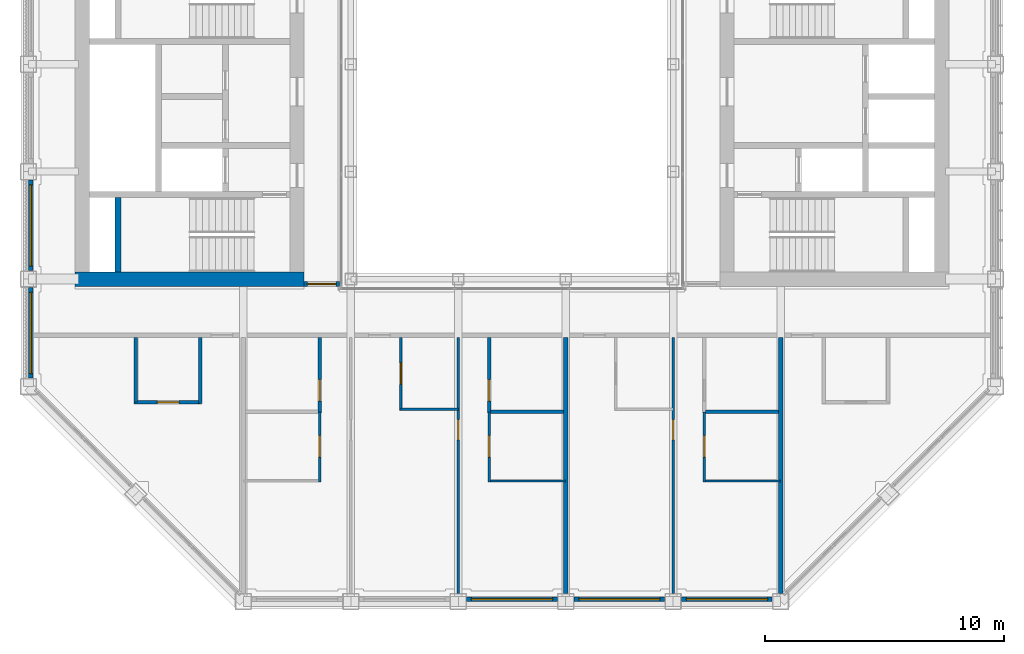
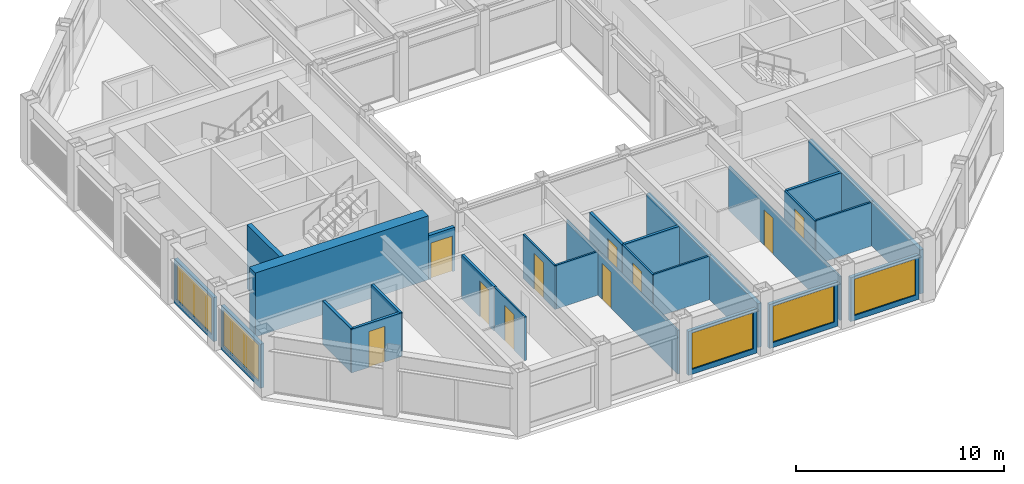
# One storey, part 9 of 17: 26 walls, 10 doors, 5 windows, 15 openings.
"""IFC4 building model written with IfcOpenShell, lengths in metres."""

from ifc_helpers import new_model, si_unit, direction, frame, frame_2d, origin, place, context, subcontext, project, spatial, rectangle, extrude, material, layer, layer_set, type_object, element, fill, save


model = new_model("IFC4")

# Units and contexts
model_context = context("Model", 3, precision=1e-05, world=origin(), true_north=direction((0.0, 1.0)))
body_context = subcontext(model_context, "Body", "Model", "MODEL_VIEW")
ifc_project = project(units=[si_unit("LENGTHUNIT", "METRE"), si_unit("AREAUNIT", "SQUARE_METRE"), si_unit("VOLUMEUNIT", "CUBIC_METRE"), si_unit("PLANEANGLEUNIT", "RADIAN"), si_unit("MASSUNIT", "GRAM", prefix="KILO")], contexts=[model_context])

# Site, building, storey
site_placement = place(None, origin())
site = spatial("IfcSite", under=ifc_project, at=site_placement, CompositionType="ELEMENT")
building_placement = place(site_placement, origin())
building = spatial("IfcBuilding", under=site, at=building_placement, Name="Msasa Ring Tower", CompositionType="ELEMENT")
storey_placement = place(building_placement, frame((0.0, 0.0, 253.300048828125)))
storey = spatial("IfcBuildingStorey", under=building, at=storey_placement, Name="L66", CompositionType="ELEMENT", Elevation=253.300048828125)

# Walls
ifc_material_1 = material(Name="Concrete C60/75", Category="concrete")
ifc_layer_1 = layer(ifc_material_1, 0.60009765625)
ifc_layer_set_1 = layer_set([ifc_layer_1], Name="CW3 CORE WALL 600")
wall_type_1 = type_object("IfcWallType", Name="CW3 CORE WALL 600", PredefinedType="SHEAR", material=ifc_layer_set_1)
wall_1_placement = place(storey_placement, frame((-8.699951171875, -6.75, 0.0), z_axis=(0.0, 0.0, 1.0), x_axis=(-1.0, 0.0, 0.0)))
element("IfcWall", 1, at=wall_1_placement, inside=storey, type_object=wall_type_1, Name="W core wall S L66", PredefinedType="SHEAR", context=body_context, shape_type="SweptSolid", body=[
    extrude(rectangle(XDim=9.60009765625, YDim=0.60009765625, at=frame_2d((4.800048828125, 0.0))), origin(), (0.0, 0.0, 1.0), 3.75),
])
ifc_material_2 = material(Name="Concrete C60/75", Category="concrete")
ifc_layer_2 = layer(ifc_material_2, 0.25)
ifc_layer_set_2 = layer_set([ifc_layer_2], Name="CW4 CORE INNER WALL 250")
wall_type_2 = type_object("IfcWallType", Name="CW4 CORE INNER WALL 250", PredefinedType="SHEAR", material=ifc_layer_set_2)
wall_2_placement = place(storey_placement, frame((-16.5, -6.449951171875, 0.0), z_axis=(0.0, 0.0, 1.0), x_axis=(0.0, 1.0, 0.0)))
element("IfcWall", 2, at=wall_2_placement, inside=storey, type_object=wall_type_2, Name="W core wall RISERA L66", PredefinedType="SHEAR", context=body_context, shape_type="SweptSolid", body=[
    extrude(rectangle(XDim=3.125, YDim=0.25, at=frame_2d((1.5625, 0.0))), origin(), (0.0, 0.0, 1.0), 3.75),
])

# Wall, opening, window
ifc_material_3 = material(Name="Terracotta rainscreen on blockwork", Category="masonry")
ifc_layer_3 = layer(ifc_material_3, 0.199951171875)
ifc_layer_set_3 = layer_set([ifc_layer_3], Name="FW1 TERRACOTTA-LINED INFILL BAY WALL 200")
wall_type_3 = type_object("IfcWallType", Name="FW1 TERRACOTTA-LINED INFILL BAY WALL 200", PredefinedType="SOLIDWALL", material=ifc_layer_set_3)
wall_3_placement = place(storey_placement, frame((-1.89501953125, -20.14990234375, 0.0), z_axis=(0.0, 0.0, 1.0), x_axis=(1.0, 0.0, 0.0)))
wall_3 = element("IfcWall", 3, at=wall_3_placement, inside=storey, type_object=wall_type_3, Name="Infill bay wall S L66 02", PredefinedType="SOLIDWALL", context=body_context, shape_type="SweptSolid", body=[
    extrude(rectangle(XDim=3.7900390625, YDim=0.199951171875, at=frame_2d((1.89501953125, 0.0))), origin(), (0.0, 0.0, 1.0), 2.578857421875),
])
opening_1_placement = place(wall_3_placement, frame((0.195068359375, 0.0, 0.300048828125)))
opening_1 = element("IfcOpeningElement", 4, at=opening_1_placement, cuts=wall_3, Name="Opening WN8", PredefinedType="OPENING", context=body_context, shape_type="SweptSolid", body=[
    extrude(rectangle(XDim=3.39990234375, YDim=2.12890625, at=frame_2d((1.699951171875, 1.064453125))), frame((0.0, 0.10986328125, 0.0), z_axis=(0.0, -1.0, 0.0), x_axis=(1.0, 0.0, 0.0)), (0.0, 0.0, 1.0), 0.219970703125),
])
ifc_material_4 = material(Name="Aluminium frame with clear glass", Category="aluminium")
window_type = type_object("IfcWindowType", Name="WN8 SUITE WINDOW 3400x2129", PartitioningType="SINGLE_PANEL", PredefinedType="WINDOW", material=ifc_material_4)
window_1_placement = place(opening_1_placement, origin())
window_1 = element("IfcWindow", 5, at=window_1_placement, inside=storey, type_object=window_type, Name="Window S L66 02", OverallHeight=2.12890625, OverallWidth=3.39990234375, PartitioningType="SINGLE_PANEL", PredefinedType="WINDOW", context=body_context, shape_type="SweptSolid", body=[
    extrude(rectangle(XDim=3.39990234375, YDim=2.12890625, at=frame_2d((1.699951171875, 1.064453125))), frame((0.0, 0.030029296875, 0.0), z_axis=(0.0, -1.0, 0.0), x_axis=(1.0, 0.0, 0.0)), (0.0, 0.0, 1.0), 0.06005859375),
])
fill(opening_1, window_1)

wall_4_placement = place(storey_placement, frame((2.60498046875, -20.14990234375, 0.0), z_axis=(0.0, 0.0, 1.0), x_axis=(1.0, 0.0, 0.0)))
wall_4 = element("IfcWall", 6, at=wall_4_placement, inside=storey, type_object=wall_type_3, Name="Infill bay wall S L66 03", PredefinedType="SOLIDWALL", context=body_context, shape_type="SweptSolid", body=[
    extrude(rectangle(XDim=3.7900390625, YDim=0.199951171875, at=frame_2d((1.89501953125, 0.0))), origin(), (0.0, 0.0, 1.0), 2.578857421875),
])
opening_2_placement = place(wall_4_placement, frame((0.195068359375, 0.0, 0.300048828125)))
opening_2 = element("IfcOpeningElement", 7, at=opening_2_placement, cuts=wall_4, Name="Opening WN8", PredefinedType="OPENING", context=body_context, shape_type="SweptSolid", body=[
    extrude(rectangle(XDim=3.39990234375, YDim=2.12890625, at=frame_2d((1.699951171875, 1.064453125))), frame((0.0, 0.10986328125, 0.0), z_axis=(0.0, -1.0, 0.0), x_axis=(1.0, 0.0, 0.0)), (0.0, 0.0, 1.0), 0.219970703125),
])
window_2_placement = place(opening_2_placement, origin())
window_2 = element("IfcWindow", 8, at=window_2_placement, inside=storey, type_object=window_type, Name="Window S L66 03", OverallHeight=2.12890625, OverallWidth=3.39990234375, PartitioningType="SINGLE_PANEL", PredefinedType="WINDOW", context=body_context, shape_type="SweptSolid", body=[
    extrude(rectangle(XDim=3.39990234375, YDim=2.12890625, at=frame_2d((1.699951171875, 1.064453125))), frame((0.0, 0.030029296875, 0.0), z_axis=(0.0, -1.0, 0.0), x_axis=(1.0, 0.0, 0.0)), (0.0, 0.0, 1.0), 0.06005859375),
])
fill(opening_2, window_2)

wall_5_placement = place(storey_placement, frame((7.10498046875, -20.14990234375, 0.0), z_axis=(0.0, 0.0, 1.0), x_axis=(1.0, 0.0, 0.0)))
wall_5 = element("IfcWall", 9, at=wall_5_placement, inside=storey, type_object=wall_type_3, Name="Infill bay wall S L66 04", PredefinedType="SOLIDWALL", context=body_context, shape_type="SweptSolid", body=[
    extrude(rectangle(XDim=3.7900390625, YDim=0.199951171875, at=frame_2d((1.89501953125, 0.0))), origin(), (0.0, 0.0, 1.0), 2.578857421875),
])
opening_3_placement = place(wall_5_placement, frame((0.195068359375, 0.0, 0.300048828125)))
opening_3 = element("IfcOpeningElement", 10, at=opening_3_placement, cuts=wall_5, Name="Opening WN8", PredefinedType="OPENING", context=body_context, shape_type="SweptSolid", body=[
    extrude(rectangle(XDim=3.39990234375, YDim=2.12890625, at=frame_2d((1.699951171875, 1.064453125))), frame((0.0, 0.10986328125, 0.0), z_axis=(0.0, -1.0, 0.0), x_axis=(1.0, 0.0, 0.0)), (0.0, 0.0, 1.0), 0.219970703125),
])
window_3_placement = place(opening_3_placement, origin())
window_3 = element("IfcWindow", 11, at=window_3_placement, inside=storey, type_object=window_type, Name="Window S L66 04", OverallHeight=2.12890625, OverallWidth=3.39990234375, PartitioningType="SINGLE_PANEL", PredefinedType="WINDOW", context=body_context, shape_type="SweptSolid", body=[
    extrude(rectangle(XDim=3.39990234375, YDim=2.12890625, at=frame_2d((1.699951171875, 1.064453125))), frame((0.0, 0.030029296875, 0.0), z_axis=(0.0, -1.0, 0.0), x_axis=(1.0, 0.0, 0.0)), (0.0, 0.0, 1.0), 0.06005859375),
])
fill(opening_3, window_3)

wall_6_placement = place(storey_placement, frame((-20.14990234375, -10.89501953125, 0.0), z_axis=(0.0, 0.0, 1.0), x_axis=(0.0, 1.0, 0.0)))
wall_6 = element("IfcWall", 12, at=wall_6_placement, inside=storey, type_object=wall_type_3, Name="Infill bay wall W L66 21", PredefinedType="SOLIDWALL", context=body_context, shape_type="SweptSolid", body=[
    extrude(rectangle(XDim=3.7900390625, YDim=0.199951171875, at=frame_2d((1.89501953125, 0.0))), origin(), (0.0, 0.0, 1.0), 2.578857421875),
])
opening_4_placement = place(wall_6_placement, frame((0.195068359375, 0.0, 0.300048828125)))
opening_4 = element("IfcOpeningElement", 13, at=opening_4_placement, cuts=wall_6, Name="Opening WN8", PredefinedType="OPENING", context=body_context, shape_type="SweptSolid", body=[
    extrude(rectangle(XDim=3.39990234375, YDim=2.12890625, at=frame_2d((1.699951171875, 1.064453125))), frame((0.0, 0.10986328125, 0.0), z_axis=(0.0, -1.0, 0.0), x_axis=(1.0, 0.0, 0.0)), (0.0, 0.0, 1.0), 0.219970703125),
])
window_4_placement = place(opening_4_placement, origin())
window_4 = element("IfcWindow", 14, at=window_4_placement, inside=storey, type_object=window_type, Name="Window W L66 21", OverallHeight=2.12890625, OverallWidth=3.39990234375, PartitioningType="SINGLE_PANEL", PredefinedType="WINDOW", context=body_context, shape_type="SweptSolid", body=[
    extrude(rectangle(XDim=3.39990234375, YDim=2.12890625, at=frame_2d((1.699951171875, 1.064453125))), frame((0.0, 0.030029296875, 0.0), z_axis=(0.0, -1.0, 0.0), x_axis=(1.0, 0.0, 0.0)), (0.0, 0.0, 1.0), 0.06005859375),
])
fill(opening_4, window_4)

wall_7_placement = place(storey_placement, frame((-20.14990234375, -6.39501953125, 0.0), z_axis=(0.0, 0.0, 1.0), x_axis=(0.0, 1.0, 0.0)))
wall_7 = element("IfcWall", 15, at=wall_7_placement, inside=storey, type_object=wall_type_3, Name="Infill bay wall W L66 22", PredefinedType="SOLIDWALL", context=body_context, shape_type="SweptSolid", body=[
    extrude(rectangle(XDim=3.7900390625, YDim=0.199951171875, at=frame_2d((1.89501953125, 0.0))), origin(), (0.0, 0.0, 1.0), 2.578857421875),
])
opening_5_placement = place(wall_7_placement, frame((0.195068359375, 0.0, 0.300048828125)))
opening_5 = element("IfcOpeningElement", 16, at=opening_5_placement, cuts=wall_7, Name="Opening WN8", PredefinedType="OPENING", context=body_context, shape_type="SweptSolid", body=[
    extrude(rectangle(XDim=3.39990234375, YDim=2.12890625, at=frame_2d((1.699951171875, 1.064453125))), frame((0.0, 0.10986328125, 0.0), z_axis=(0.0, -1.0, 0.0), x_axis=(1.0, 0.0, 0.0)), (0.0, 0.0, 1.0), 0.219970703125),
])
window_5_placement = place(opening_5_placement, origin())
window_5 = element("IfcWindow", 17, at=window_5_placement, inside=storey, type_object=window_type, Name="Window W L66 22", OverallHeight=2.12890625, OverallWidth=3.39990234375, PartitioningType="SINGLE_PANEL", PredefinedType="WINDOW", context=body_context, shape_type="SweptSolid", body=[
    extrude(rectangle(XDim=3.39990234375, YDim=2.12890625, at=frame_2d((1.699951171875, 1.064453125))), frame((0.0, 0.030029296875, 0.0), z_axis=(0.0, -1.0, 0.0), x_axis=(1.0, 0.0, 0.0)), (0.0, 0.0, 1.0), 0.06005859375),
])
fill(opening_5, window_5)

# Wall, opening, door
ifc_material_5 = material(Name="Concrete blockwork", Category="masonry")
ifc_layer_4 = layer(ifc_material_5, 0.199951171875)
ifc_layer_set_4 = layer_set([ifc_layer_4], Name="PT1 CORRIDOR WALL 200")
wall_type_4 = type_object("IfcWallType", Name="PT1 CORRIDOR WALL 200", PredefinedType="PARTITIONING", material=ifc_layer_set_4)
wall_8_placement = place(storey_placement, frame((-8.699951171875, -6.949951171875, 0.0), z_axis=(0.0, 0.0, 1.0), x_axis=(1.0, 0.0, 0.0)))
wall_8 = element("IfcWall", 18, at=wall_8_placement, inside=storey, type_object=wall_type_4, Name="Corridor wall L66-SDWS", PredefinedType="PARTITIONING", context=body_context, shape_type="SweptSolid", body=[
    extrude(rectangle(XDim=1.469970703125, YDim=0.199951171875, at=frame_2d((0.73486328125, 0.0))), origin(), (0.0, 0.0, 1.0), 2.5732421875),
])
opening_6_placement = place(wall_8_placement, frame((0.135009765625, 0.0, 0.0)))
opening_6 = element("IfcOpeningElement", 19, at=opening_6_placement, cuts=wall_8, Name="Opening SE-032", PredefinedType="OPENING", context=body_context, shape_type="SweptSolid", body=[
    extrude(rectangle(XDim=1.199951171875, YDim=2.10009765625, at=frame_2d((0.60009765625, 1.050048828125))), frame((0.0, 0.10986328125, 0.0), z_axis=(0.0, -1.0, 0.0), x_axis=(1.0, 0.0, 0.0)), (0.0, 0.0, 1.0), 0.219970703125),
])
ifc_material_6 = material(Name="Timber door leaf in a steel frame", Category="steel")
door_type_1 = type_object("IfcDoorType", Name="D25 CORRIDOR PAIR OF SMOKE DOORS 1200x2100", OperationType="DOUBLE_DOOR_DOUBLE_SWING", PredefinedType="DOOR", material=ifc_material_6)
door_1_placement = place(opening_6_placement, origin())
door_1 = element("IfcDoor", 20, at=door_1_placement, inside=storey, type_object=door_type_1, Name="Door L66-SDWS", OperationType="DOUBLE_DOOR_DOUBLE_SWING", OverallHeight=2.10009765625, OverallWidth=1.199951171875, PredefinedType="DOOR", context=body_context, shape_type="SweptSolid", body=[
    extrude(rectangle(XDim=1.199951171875, YDim=2.10009765625, at=frame_2d((0.60009765625, 1.050048828125))), frame((0.0, 0.02490234375, 0.0), z_axis=(0.0, -1.0, 0.0), x_axis=(1.0, 0.0, 0.0)), (0.0, 0.0, 1.0), 0.050048828125),
])
fill(opening_6, door_1)

ifc_material_7 = material(Name="Gypsum board on steel studs", Category="steel")
ifc_layer_5 = layer(ifc_material_7, 0.10009765625)
ifc_layer_set_5 = layer_set([ifc_layer_5], Name="PT2 STUD PARTITION 100")
wall_type_5 = type_object("IfcWallType", Name="PT2 STUD PARTITION 100", PredefinedType="PARTITIONING", material=ifc_layer_set_5)
wall_9_placement = place(storey_placement, frame((-4.64990234375, -12.25, 0.0), z_axis=(0.0, 0.0, 1.0), x_axis=(0.0, 1.0, 0.0)))
wall_9 = element("IfcWall", 21, at=wall_9_placement, inside=storey, type_object=wall_type_5, Name="Partition L66-JS00PNX", PredefinedType="PARTITIONING", context=body_context, shape_type="SweptSolid", body=[
    extrude(rectangle(XDim=3.050048828125, YDim=0.10009765625, at=frame_2d((1.52490234375, 0.0))), origin(), (0.0, 0.0, 1.0), 2.5732421875),
])
opening_7_placement = place(wall_9_placement, frame((1.10009765625, 0.0, 0.0)))
opening_7 = element("IfcOpeningElement", 22, at=opening_7_placement, cuts=wall_9, Name="Opening SE-038", PredefinedType="OPENING", context=body_context, shape_type="SweptSolid", body=[
    extrude(rectangle(XDim=0.89990234375, YDim=2.10009765625, at=frame_2d((0.449951171875, 1.050048828125))), frame((0.0, 0.06005859375, 0.0), z_axis=(0.0, -1.0, 0.0), x_axis=(1.0, 0.0, 0.0)), (0.0, 0.0, 1.0), 0.1201171875),
])
ifc_material_8 = material(Name="Timber door leaf in a steel frame", Category="steel")
door_type_2 = type_object("IfcDoorType", Name="D22 INTERNAL HALL DOOR 900x2100", OperationType="SINGLE_SWING_LEFT", PredefinedType="DOOR", material=ifc_material_8)
door_2_placement = place(opening_7_placement, origin())
door_2 = element("IfcDoor", 23, at=door_2_placement, inside=storey, type_object=door_type_2, Name="Door L66-JS00PN", OperationType="SINGLE_SWING_LEFT", OverallHeight=2.10009765625, OverallWidth=0.89990234375, PredefinedType="DOOR", context=body_context, shape_type="SweptSolid", body=[
    extrude(rectangle(XDim=0.89990234375, YDim=2.10009765625, at=frame_2d((0.449951171875, 1.050048828125))), frame((0.0, 0.02490234375, 0.0), z_axis=(0.0, -1.0, 0.0), x_axis=(1.0, 0.0, 0.0)), (0.0, 0.0, 1.0), 0.050048828125),
])
fill(opening_7, door_2)

# Wall
wall_10_placement = place(storey_placement, frame((-4.64990234375, -12.199951171875, 0.0), z_axis=(0.0, 0.0, 1.0), x_axis=(1.0, 0.0, 0.0)))
element("IfcWall", 24, at=wall_10_placement, inside=storey, type_object=wall_type_5, Name="Partition L66-JS00PNY", PredefinedType="PARTITIONING", context=body_context, shape_type="SweptSolid", body=[
    extrude(rectangle(XDim=2.39990234375, YDim=0.10009765625, at=frame_2d((1.199951171875, 0.0))), origin(), (0.0, 0.0, 1.0), 2.5732421875),
])

# Wall, opening, door
wall_11_placement = place(storey_placement, frame((-8.050048828125, -15.25, 0.0), z_axis=(0.0, 0.0, 1.0), x_axis=(0.0, 1.0, 0.0)))
wall_11 = element("IfcWall", 25, at=wall_11_placement, inside=storey, type_object=wall_type_5, Name="Partition L66-JS00DX0", PredefinedType="PARTITIONING", context=body_context, shape_type="SweptSolid", body=[
    extrude(rectangle(XDim=2.949951171875, YDim=0.10009765625, at=frame_2d((1.47509765625, 0.0))), origin(), (0.0, 0.0, 1.0), 2.5732421875),
])
opening_8_placement = place(wall_11_placement, frame((1.050048828125, 0.0, 0.0)))
opening_8 = element("IfcOpeningElement", 26, at=opening_8_placement, cuts=wall_11, Name="Opening SE-048", PredefinedType="OPENING", context=body_context, shape_type="SweptSolid", body=[
    extrude(rectangle(XDim=0.89990234375, YDim=2.10009765625, at=frame_2d((0.449951171875, 1.050048828125))), frame((0.0, 0.06005859375, 0.0), z_axis=(0.0, -1.0, 0.0), x_axis=(1.0, 0.0, 0.0)), (0.0, 0.0, 1.0), 0.1201171875),
])
door_3_placement = place(opening_8_placement, origin())
door_3 = element("IfcDoor", 27, at=door_3_placement, inside=storey, type_object=door_type_2, Name="Door L66-JS00D0", OperationType="SINGLE_SWING_LEFT", OverallHeight=2.10009765625, OverallWidth=0.89990234375, PredefinedType="DOOR", context=body_context, shape_type="SweptSolid", body=[
    extrude(rectangle(XDim=0.89990234375, YDim=2.10009765625, at=frame_2d((0.449951171875, 1.050048828125))), frame((0.0, 0.02490234375, 0.0), z_axis=(0.0, -1.0, 0.0), x_axis=(1.0, 0.0, 0.0)), (0.0, 0.0, 1.0), 0.050048828125),
])
fill(opening_8, door_3)

wall_12_placement = place(storey_placement, frame((-2.25, -19.89990234375, 0.0), z_axis=(0.0, 0.0, 1.0), x_axis=(0.0, 1.0, 0.0)))
wall_12 = element("IfcWall", 28, at=wall_12_placement, inside=storey, type_object=wall_type_5, Name="Partition L66-JS00P2", PredefinedType="PARTITIONING", context=body_context, shape_type="SweptSolid", body=[
    extrude(rectangle(XDim=10.699951171875, YDim=0.10009765625, at=frame_2d((5.35009765625, 0.0))), origin(), (0.0, 0.0, 1.0), 2.5732421875),
])
opening_9_placement = place(wall_12_placement, frame((6.425048828125, 0.0, 0.0)))
opening_9 = element("IfcOpeningElement", 29, at=opening_9_placement, cuts=wall_12, Name="Opening SE-046", PredefinedType="OPENING", context=body_context, shape_type="SweptSolid", body=[
    extrude(rectangle(XDim=0.85009765625, YDim=2.10009765625, at=frame_2d((0.425048828125, 1.050048828125))), frame((0.0, 0.06005859375, 0.0), z_axis=(0.0, -1.0, 0.0), x_axis=(1.0, 0.0, 0.0)), (0.0, 0.0, 1.0), 0.1201171875),
])
ifc_material_9 = material(Name="Timber door leaf in a steel frame", Category="steel")
door_type_3 = type_object("IfcDoorType", Name="D14 BEDROOM DOOR 850x2100", OperationType="SINGLE_SWING_LEFT", PredefinedType="DOOR", material=ifc_material_9)
door_4_placement = place(opening_9_placement, origin())
door_4 = element("IfcDoor", 30, at=door_4_placement, inside=storey, type_object=door_type_3, Name="Door L66-JS00R2", OperationType="SINGLE_SWING_RIGHT", OverallHeight=2.10009765625, OverallWidth=0.85009765625, PredefinedType="DOOR", context=body_context, shape_type="SweptSolid", body=[
    extrude(rectangle(XDim=0.85009765625, YDim=2.10009765625, at=frame_2d((0.425048828125, 1.050048828125))), frame((0.0, 0.02490234375, 0.0), z_axis=(0.0, -1.0, 0.0), x_axis=(1.0, 0.0, 0.0)), (0.0, 0.0, 1.0), 0.050048828125),
])
fill(opening_9, door_4)

wall_13_placement = place(storey_placement, frame((-0.949951171875, -15.25, 0.0), z_axis=(0.0, 0.0, 1.0), x_axis=(0.0, 1.0, 0.0)))
wall_13 = element("IfcWall", 31, at=wall_13_placement, inside=storey, type_object=wall_type_5, Name="Partition L66-JS00DX2", PredefinedType="PARTITIONING", context=body_context, shape_type="SweptSolid", body=[
    extrude(rectangle(XDim=2.949951171875, YDim=0.10009765625, at=frame_2d((1.47509765625, 0.0))), origin(), (0.0, 0.0, 1.0), 2.5732421875),
])
opening_10_placement = place(wall_13_placement, frame((1.050048828125, 0.0, 0.0)))
opening_10 = element("IfcOpeningElement", 32, at=opening_10_placement, cuts=wall_13, Name="Opening SE-049", PredefinedType="OPENING", context=body_context, shape_type="SweptSolid", body=[
    extrude(rectangle(XDim=0.89990234375, YDim=2.10009765625, at=frame_2d((0.449951171875, 1.050048828125))), frame((0.0, 0.06005859375, 0.0), z_axis=(0.0, -1.0, 0.0), x_axis=(1.0, 0.0, 0.0)), (0.0, 0.0, 1.0), 0.1201171875),
])
door_5_placement = place(opening_10_placement, origin())
door_5 = element("IfcDoor", 33, at=door_5_placement, inside=storey, type_object=door_type_2, Name="Door L66-JS00D2", OperationType="SINGLE_SWING_LEFT", OverallHeight=2.10009765625, OverallWidth=0.89990234375, PredefinedType="DOOR", context=body_context, shape_type="SweptSolid", body=[
    extrude(rectangle(XDim=0.89990234375, YDim=2.10009765625, at=frame_2d((0.449951171875, 1.050048828125))), frame((0.0, 0.02490234375, 0.0), z_axis=(0.0, -1.0, 0.0), x_axis=(1.0, 0.0, 0.0)), (0.0, 0.0, 1.0), 0.050048828125),
])
fill(opening_10, door_5)

# Wall
wall_14_placement = place(storey_placement, frame((-0.949951171875, -15.199951171875, 0.0), z_axis=(0.0, 0.0, 1.0), x_axis=(1.0, 0.0, 0.0)))
element("IfcWall", 34, at=wall_14_placement, inside=storey, type_object=wall_type_5, Name="Partition L66-JS00DY2", PredefinedType="PARTITIONING", context=body_context, shape_type="SweptSolid", body=[
    extrude(rectangle(XDim=3.199951171875, YDim=0.10009765625, at=frame_2d((1.60009765625, 0.0))), origin(), (0.0, 0.0, 1.0), 2.5732421875),
])

# Wall, opening, door
wall_15_placement = place(storey_placement, frame((6.75, -19.89990234375, 0.0), z_axis=(0.0, 0.0, 1.0), x_axis=(0.0, 1.0, 0.0)))
wall_15 = element("IfcWall", 35, at=wall_15_placement, inside=storey, type_object=wall_type_5, Name="Partition L66-JS01P1", PredefinedType="PARTITIONING", context=body_context, shape_type="SweptSolid", body=[
    extrude(rectangle(XDim=10.699951171875, YDim=0.10009765625, at=frame_2d((5.35009765625, 0.0))), origin(), (0.0, 0.0, 1.0), 2.5732421875),
])
opening_11_placement = place(wall_15_placement, frame((6.425048828125, 0.0, 0.0)))
opening_11 = element("IfcOpeningElement", 36, at=opening_11_placement, cuts=wall_15, Name="Opening SE-047", PredefinedType="OPENING", context=body_context, shape_type="SweptSolid", body=[
    extrude(rectangle(XDim=0.85009765625, YDim=2.10009765625, at=frame_2d((0.425048828125, 1.050048828125))), frame((0.0, 0.06005859375, 0.0), z_axis=(0.0, -1.0, 0.0), x_axis=(1.0, 0.0, 0.0)), (0.0, 0.0, 1.0), 0.1201171875),
])
door_6_placement = place(opening_11_placement, origin())
door_6 = element("IfcDoor", 37, at=door_6_placement, inside=storey, type_object=door_type_3, Name="Door L66-JS01R1", OperationType="SINGLE_SWING_RIGHT", OverallHeight=2.10009765625, OverallWidth=0.85009765625, PredefinedType="DOOR", context=body_context, shape_type="SweptSolid", body=[
    extrude(rectangle(XDim=0.85009765625, YDim=2.10009765625, at=frame_2d((0.425048828125, 1.050048828125))), frame((0.0, 0.02490234375, 0.0), z_axis=(0.0, -1.0, 0.0), x_axis=(1.0, 0.0, 0.0)), (0.0, 0.0, 1.0), 0.050048828125),
])
fill(opening_11, door_6)

wall_16_placement = place(storey_placement, frame((8.050048828125, -15.25, 0.0), z_axis=(0.0, 0.0, 1.0), x_axis=(0.0, 1.0, 0.0)))
wall_16 = element("IfcWall", 38, at=wall_16_placement, inside=storey, type_object=wall_type_5, Name="Partition L66-JS01DX1", PredefinedType="PARTITIONING", context=body_context, shape_type="SweptSolid", body=[
    extrude(rectangle(XDim=2.949951171875, YDim=0.10009765625, at=frame_2d((1.47509765625, 0.0))), origin(), (0.0, 0.0, 1.0), 2.5732421875),
])
opening_12_placement = place(wall_16_placement, frame((1.050048828125, 0.0, 0.0)))
opening_12 = element("IfcOpeningElement", 39, at=opening_12_placement, cuts=wall_16, Name="Opening SE-050", PredefinedType="OPENING", context=body_context, shape_type="SweptSolid", body=[
    extrude(rectangle(XDim=0.89990234375, YDim=2.10009765625, at=frame_2d((0.449951171875, 1.050048828125))), frame((0.0, 0.06005859375, 0.0), z_axis=(0.0, -1.0, 0.0), x_axis=(1.0, 0.0, 0.0)), (0.0, 0.0, 1.0), 0.1201171875),
])
door_7_placement = place(opening_12_placement, origin())
door_7 = element("IfcDoor", 40, at=door_7_placement, inside=storey, type_object=door_type_2, Name="Door L66-JS01D1", OperationType="SINGLE_SWING_LEFT", OverallHeight=2.10009765625, OverallWidth=0.89990234375, PredefinedType="DOOR", context=body_context, shape_type="SweptSolid", body=[
    extrude(rectangle(XDim=0.89990234375, YDim=2.10009765625, at=frame_2d((0.449951171875, 1.050048828125))), frame((0.0, 0.02490234375, 0.0), z_axis=(0.0, -1.0, 0.0), x_axis=(1.0, 0.0, 0.0)), (0.0, 0.0, 1.0), 0.050048828125),
])
fill(opening_12, door_7)

# Walls
wall_17_placement = place(storey_placement, frame((8.050048828125, -15.199951171875, 0.0), z_axis=(0.0, 0.0, 1.0), x_axis=(1.0, 0.0, 0.0)))
element("IfcWall", 41, at=wall_17_placement, inside=storey, type_object=wall_type_5, Name="Partition L66-JS01DY1", PredefinedType="PARTITIONING", context=body_context, shape_type="SweptSolid", body=[
    extrude(rectangle(XDim=3.199951171875, YDim=0.10009765625, at=frame_2d((1.60009765625, 0.0))), origin(), (0.0, 0.0, 1.0), 2.5732421875),
])
ifc_material_10 = material(Name="Dense concrete blockwork, plastered both faces", Category="masonry")
ifc_layer_6 = layer(ifc_material_10, 0.25)
ifc_layer_set_6 = layer_set([ifc_layer_6], Name="PT3 APARTMENT SEPARATING WALL 250")
wall_type_6 = type_object("IfcWallType", Name="PT3 APARTMENT SEPARATING WALL 250", PredefinedType="PARTITIONING", material=ifc_layer_set_6)
for number, where, z_axis, x_axis, name in (
    (42, (2.25, -19.89990234375, 0.0), (0.0, 0.0, 1.0), (0.0, 1.0, 0.0), "Party wall L66-PWS+2.25"),
    (43, (11.25, -19.89990234375, 0.0), (0.0, 0.0, 1.0), (0.0, 1.0, 0.0), "Party wall L66-PWS+11.25"),
):
    element("IfcWall", number, at=place(storey_placement, frame(where, z_axis=z_axis, x_axis=x_axis)), inside=storey, type_object=wall_type_6, Name=name, PredefinedType="PARTITIONING", context=body_context, shape_type="SweptSolid", body=[
        extrude(rectangle(XDim=10.699951171875, YDim=0.199951171875, at=frame_2d((5.35009765625, 0.0))), origin(), (0.0, 0.0, 1.0), 2.5732421875),
    ])

# Wall, opening, door
ifc_material_11 = material(Name="Moisture-resistant board on steel studs with a concealed cistern and pipe void, tiled", Category="steel")
ifc_layer_7 = layer(ifc_material_11, 0.14990234375)
ifc_layer_set_7 = layer_set([ifc_layer_7], Name="PT4 BATHROOM WET WALL 150")
wall_type_7 = type_object("IfcWallType", Name="PT4 BATHROOM WET WALL 150", PredefinedType="PARTITIONING", material=ifc_layer_set_7)
wall_18_placement = place(storey_placement, frame((-8.050048828125, -12.35009765625, 0.0), z_axis=(0.0, 0.0, 1.0), x_axis=(0.0, 1.0, 0.0)))
wall_18 = element("IfcWall", 44, at=wall_18_placement, inside=storey, type_object=wall_type_7, Name="Partition L66-JS00BX0", PredefinedType="PARTITIONING", context=body_context, shape_type="SweptSolid", body=[
    extrude(rectangle(XDim=3.150146484375, YDim=0.14990234375, at=frame_2d((1.5751953125, 0.0))), origin(), (0.0, 0.0, 1.0), 2.5732421875),
])
opening_13_placement = place(wall_18_placement, frame((0.5, 0.0, 0.0)))
opening_13 = element("IfcOpeningElement", 45, at=opening_13_placement, cuts=wall_18, Name="Opening SE-040", PredefinedType="OPENING", context=body_context, shape_type="SweptSolid", body=[
    extrude(rectangle(XDim=0.89990234375, YDim=2.10009765625, at=frame_2d((0.449951171875, 1.050048828125))), frame((0.0, 0.0849609375, 0.0), z_axis=(0.0, -1.0, 0.0), x_axis=(1.0, 0.0, 0.0)), (0.0, 0.0, 1.0), 0.169921875),
])
ifc_material_12 = material(Name="Timber door leaf in a steel frame", Category="steel")
door_type_4 = type_object("IfcDoorType", Name="D3 BATHROOM DOOR 900x2100", OperationType="SINGLE_SWING_LEFT", PredefinedType="DOOR", material=ifc_material_12)
door_8_placement = place(opening_13_placement, origin())
door_8 = element("IfcDoor", 46, at=door_8_placement, inside=storey, type_object=door_type_4, Name="Door L66-JS00B0", OperationType="SINGLE_SWING_LEFT", OverallHeight=2.10009765625, OverallWidth=0.89990234375, PredefinedType="DOOR", context=body_context, shape_type="SweptSolid", body=[
    extrude(rectangle(XDim=0.89990234375, YDim=2.10009765625, at=frame_2d((0.449951171875, 1.050048828125))), frame((0.0, 0.02490234375, 0.0), z_axis=(0.0, -1.0, 0.0), x_axis=(1.0, 0.0, 0.0)), (0.0, 0.0, 1.0), 0.050048828125),
])
fill(opening_13, door_8)

wall_19_placement = place(storey_placement, frame((-0.949951171875, -12.35009765625, 0.0), z_axis=(0.0, 0.0, 1.0), x_axis=(0.0, 1.0, 0.0)))
wall_19 = element("IfcWall", 47, at=wall_19_placement, inside=storey, type_object=wall_type_7, Name="Partition L66-JS00BX2", PredefinedType="PARTITIONING", context=body_context, shape_type="SweptSolid", body=[
    extrude(rectangle(XDim=3.150146484375, YDim=0.14990234375, at=frame_2d((1.5751953125, 0.0))), origin(), (0.0, 0.0, 1.0), 2.5732421875),
])
opening_14_placement = place(wall_19_placement, frame((0.5, 0.0, 0.0)))
opening_14 = element("IfcOpeningElement", 48, at=opening_14_placement, cuts=wall_19, Name="Opening SE-041", PredefinedType="OPENING", context=body_context, shape_type="SweptSolid", body=[
    extrude(rectangle(XDim=0.89990234375, YDim=2.10009765625, at=frame_2d((0.449951171875, 1.050048828125))), frame((0.0, 0.0849609375, 0.0), z_axis=(0.0, -1.0, 0.0), x_axis=(1.0, 0.0, 0.0)), (0.0, 0.0, 1.0), 0.169921875),
])
door_9_placement = place(opening_14_placement, origin())
door_9 = element("IfcDoor", 49, at=door_9_placement, inside=storey, type_object=door_type_4, Name="Door L66-JS00B2", OperationType="SINGLE_SWING_LEFT", OverallHeight=2.10009765625, OverallWidth=0.89990234375, PredefinedType="DOOR", context=body_context, shape_type="SweptSolid", body=[
    extrude(rectangle(XDim=0.89990234375, YDim=2.10009765625, at=frame_2d((0.449951171875, 1.050048828125))), frame((0.0, 0.02490234375, 0.0), z_axis=(0.0, -1.0, 0.0), x_axis=(1.0, 0.0, 0.0)), (0.0, 0.0, 1.0), 0.050048828125),
])
fill(opening_14, door_9)

# Walls
for number, where, z_axis, x_axis, name in (
    (50, (-0.89990234375, -12.300048828125, 0.0), (0.0, 0.0, 1.0), (1.0, 0.0, 0.0), "Partition L66-JS00BY2"),
    (51, (8.10009765625, -12.300048828125, 0.0), (0.0, 0.0, 1.0), (1.0, 0.0, 0.0), "Partition L66-JS01BY1"),
):
    element("IfcWall", number, at=place(storey_placement, frame(where, z_axis=z_axis, x_axis=x_axis)), inside=storey, type_object=wall_type_7, Name=name, PredefinedType="PARTITIONING", context=body_context, shape_type="SweptSolid", body=[
        extrude(rectangle(XDim=3.0498046875, YDim=0.14990234375, at=frame_2d((1.52490234375, 0.0))), origin(), (0.0, 0.0, 1.0), 2.5732421875),
    ])
wall_20_placement = place(storey_placement, frame((-13.050048828125, -11.949951171875, 0.0), z_axis=(0.0, 0.0, 1.0), x_axis=(0.0, 1.0, 0.0)))
element("IfcWall", 52, at=wall_20_placement, inside=storey, type_object=wall_type_7, Name="Partition L66-CSSWBX", PredefinedType="PARTITIONING", context=body_context, shape_type="SweptSolid", body=[
    extrude(rectangle(XDim=2.75, YDim=0.14990234375, at=frame_2d((1.375, 0.0))), origin(), (0.0, 0.0, 1.0), 2.5732421875),
])

# Wall, opening, door
wall_21_placement = place(storey_placement, frame((-15.824951171875, -11.89990234375, 0.0), z_axis=(0.0, 0.0, 1.0), x_axis=(1.0, 0.0, 0.0)))
wall_21 = element("IfcWall", 53, at=wall_21_placement, inside=storey, type_object=wall_type_7, Name="Partition L66-CSSWBY", PredefinedType="PARTITIONING", context=body_context, shape_type="SweptSolid", body=[
    extrude(rectangle(XDim=2.77490234375, YDim=0.14990234375, at=frame_2d((1.387451171875, 0.0))), origin(), (0.0, 0.0, 1.0), 2.5732421875),
])
opening_15_placement = place(wall_21_placement, frame((0.97509765625, 0.0, 0.0)))
opening_15 = element("IfcOpeningElement", 54, at=opening_15_placement, cuts=wall_21, Name="Opening SE-043", PredefinedType="OPENING", context=body_context, shape_type="SweptSolid", body=[
    extrude(rectangle(XDim=0.89990234375, YDim=2.10009765625, at=frame_2d((0.449951171875, 1.050048828125))), frame((0.0, 0.0849609375, 0.0), z_axis=(0.0, -1.0, 0.0), x_axis=(1.0, 0.0, 0.0)), (0.0, 0.0, 1.0), 0.169921875),
])
door_10_placement = place(opening_15_placement, origin())
door_10 = element("IfcDoor", 55, at=door_10_placement, inside=storey, type_object=door_type_4, Name="Door L66-CSSWB1", OperationType="SINGLE_SWING_RIGHT", OverallHeight=2.10009765625, OverallWidth=0.89990234375, PredefinedType="DOOR", context=body_context, shape_type="SweptSolid", body=[
    extrude(rectangle(XDim=0.89990234375, YDim=2.10009765625, at=frame_2d((0.449951171875, 1.050048828125))), frame((0.0, 0.02490234375, 0.0), z_axis=(0.0, -1.0, 0.0), x_axis=(1.0, 0.0, 0.0)), (0.0, 0.0, 1.0), 0.050048828125),
])
fill(opening_15, door_10)

# Wall
wall_22_placement = place(storey_placement, frame((-15.75, -11.89990234375, 0.0), z_axis=(0.0, 0.0, 1.0), x_axis=(0.0, 1.0, 0.0)))
element("IfcWall", 56, at=wall_22_placement, inside=storey, type_object=wall_type_7, Name="Partition L66-CSSWBE", PredefinedType="PARTITIONING", context=body_context, shape_type="SweptSolid", body=[
    extrude(rectangle(XDim=2.699951171875, YDim=0.14990234375, at=frame_2d((1.35009765625, 0.0))), origin(), (0.0, 0.0, 1.0), 2.5732421875),
])

save(model, "model.ifc")
